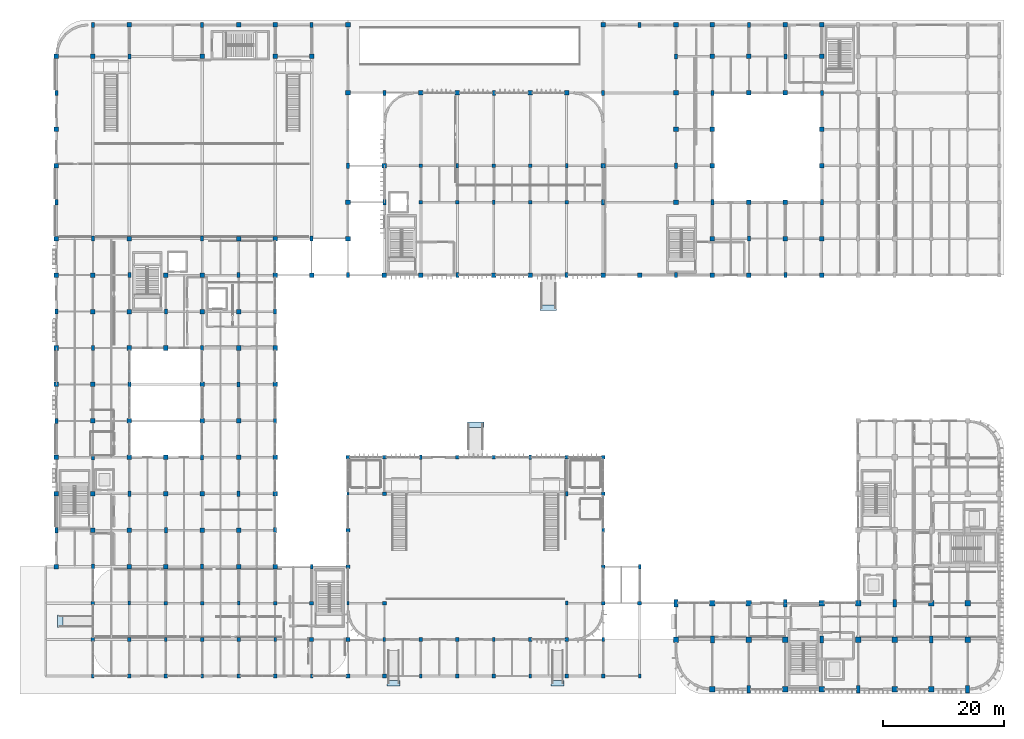
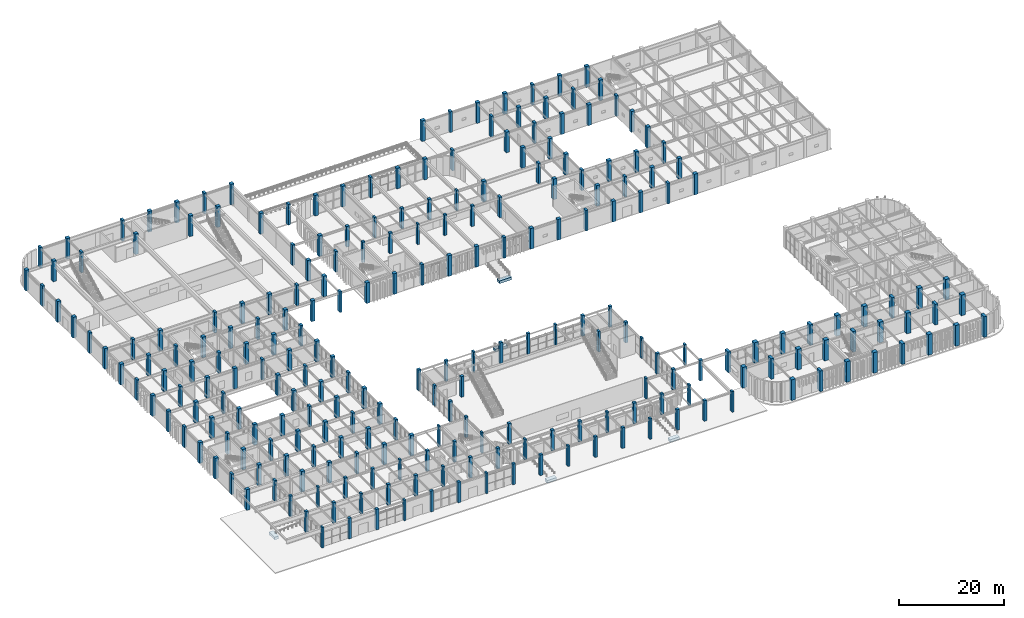
# One storey, part 1 of 76: 244 columns, 5 footings.
"""IFC4 building model written with IfcOpenShell, lengths in metres."""

from ifc_helpers import new_model, si_unit, direction, frame, origin, origin_2d, place, context, subcontext, project, spatial, rectangle, extrude, material, material_profile, profile_set, type_object, element, save


model = new_model("IFC4")

# Units and contexts
model_context = context("Model", 3, precision=1e-05, world=origin(), true_north=direction((0.0, 1.0)))
body_context = subcontext(model_context, "Body", "Model", "MODEL_VIEW")
ifc_project = project(units=[si_unit("LENGTHUNIT", "METRE"), si_unit("AREAUNIT", "SQUARE_METRE"), si_unit("VOLUMEUNIT", "CUBIC_METRE"), si_unit("PLANEANGLEUNIT", "RADIAN"), si_unit("MASSUNIT", "GRAM", prefix="KILO")], contexts=[model_context])

# Site, building, storey
site_placement = place(None, origin())
site = spatial("IfcSite", under=ifc_project, at=site_placement, CompositionType="ELEMENT")
building_placement = place(site_placement, origin())
building = spatial("IfcBuilding", under=site, at=building_placement, Name="Varnakota Square Police Headquarters", CompositionType="ELEMENT")
storey_placement = place(building_placement, origin())
storey = spatial("IfcBuildingStorey", under=building, at=storey_placement, Name="L00", CompositionType="ELEMENT", Elevation=0.0)

# Footings
ifc_material_1 = material(Name="Concrete M40", Category="concrete")
ifc_material_profile_1 = material_profile(ifc_material_1, rectangle(XDim=0.89990234375, YDim=0.60009765625, at=origin_2d()), Name="SF 900x600")
ifc_profile_set_1 = profile_set([ifc_material_profile_1], Name="Concrete M40")
footing_type = type_object("IfcFootingType", Name="FT-SF1", PredefinedType="STRIP_FOOTING", material=ifc_profile_set_1)
for number, where, z_axis, x_axis, name in (
    (1, (62.550048828125, 1.800048828125, -0.85009765625), (-1.0, 0.0, 0.0), (0.0, -1.0, 0.0), "Strip footing SF-12"),
    (2, (89.550048828125, 1.800048828125, -0.85009765625), (-1.0, 0.0, 0.0), (0.0, -1.0, 0.0), "Strip footing SF-13"),
    (3, (6.60009765625, 10.949951171875, -0.85009765625), (0.0, 1.0, 0.0), (-1.0, 0.0, 0.0), "Strip footing SF-14"),
):
    element("IfcFooting", number, at=place(storey_placement, frame(where, z_axis=z_axis, x_axis=x_axis)), inside=storey, type_object=footing_type, Name=name, PredefinedType="STRIP_FOOTING", context=body_context, shape_type="SweptSolid", body=[
        extrude(rectangle(XDim=0.89990234375, YDim=0.60009765625, at=origin_2d()), origin(), (0.0, 0.0, 1.0), 2.10009765625),
    ])
for number, where, z_axis, x_axis, name in (
    (4, (73.64990234375, 44.39990234375, -0.85009765625), (1.0, 0.0, 0.0), (0.0, 1.0, 0.0), "Strip footing SF-15"),
    (5, (88.35009765625, 63.60009765625, -0.85009765625), (-1.0, 0.0, 0.0), (0.0, -1.0, 0.0), "Strip footing SF-16"),
):
    element("IfcFooting", number, at=place(storey_placement, frame(where, z_axis=z_axis, x_axis=x_axis)), inside=storey, type_object=footing_type, Name=name, PredefinedType="STRIP_FOOTING", context=body_context, shape_type="SweptSolid", body=[
        extrude(rectangle(XDim=0.89990234375, YDim=0.60009765625, at=origin_2d()), origin(), (0.0, 0.0, 1.0), 2.7001953125),
    ])

# Columns
ifc_material_profile_2 = material_profile(ifc_material_1, rectangle(XDim=0.39990234375, YDim=0.699951171875, at=origin_2d()), Name="RC 400x700")
ifc_profile_set_2 = profile_set([ifc_material_profile_2], Name="Concrete M40")
column_type_1 = type_object("IfcColumnType", Name="COL-RC400x700", PredefinedType="COLUMN", material=ifc_profile_set_2)
for number, where, z_axis, x_axis, name in (
    (6, (12.0, 3.0, 0.0), (0.0, 0.0, 1.0), (1.0, 0.0, 0.0), "Column X0120-Y0030 L00"),
    (7, (18.0, 15.0, 0.0), (0.0, 0.0, 1.0), (1.0, 0.0, 0.0), "Column X0180-Y0150 L00"),
    (8, (24.0, 9.0, 0.0), (0.0, 0.0, 1.0), (1.0, 0.0, 0.0), "Column X0240-Y0090 L00"),
    (9, (30.0, 3.0, 0.0), (0.0, 0.0, 1.0), (1.0, 0.0, 0.0), "Column X0300-Y0030 L00"),
    (10, (36.0, 15.0, 0.0), (0.0, 0.0, 1.0), (1.0, 0.0, 0.0), "Column X0360-Y0150 L00"),
    (11, (42.0, 9.0, 0.0), (0.0, 0.0, 1.0), (1.0, 0.0, 0.0), "Column X0420-Y0090 L00"),
    (12, (48.0, 3.0, 0.0), (0.0, 0.0, 1.0), (1.0, 0.0, 0.0), "Column X0480-Y0030 L00"),
    (13, (48.0, 21.0, 0.0), (0.0, 0.0, 1.0), (1.0, 0.0, 0.0), "Column X0480-Y0210 L00"),
    (14, (54.0, 15.0, 0.0), (0.0, 0.0, 1.0), (1.0, 0.0, 0.0), "Column X0540-Y0150 L00"),
    (15, (54.0, 33.0, 0.0), (0.0, 0.0, 1.0), (1.0, 0.0, 0.0), "Column X0540-Y0330 L00"),
    (16, (60.0, 9.0, 0.0), (0.0, 0.0, 1.0), (1.0, 0.0, 0.0), "Column X0600-Y0090 L00"),
    (17, (66.0, 3.0, 0.0), (0.0, 0.0, 1.0), (1.0, 0.0, 0.0), "Column X0660-Y0030 L00"),
    (18, (66.0, 39.0, 0.0), (0.0, 0.0, 1.0), (1.0, 0.0, 0.0), "Column X0660-Y0390 L00"),
    (19, (72.0, 87.0, 0.0), (0.0, 0.0, 1.0), (1.0, 0.0, 0.0), "Column X0720-Y0870 L00"),
    (20, (78.0, 9.0, 0.0), (0.0, 0.0, 1.0), (1.0, 0.0, 0.0), "Column X0780-Y0090 L00"),
    (21, (78.0, 81.0, 0.0), (0.0, 0.0, 1.0), (1.0, 0.0, 0.0), "Column X0780-Y0810 L00"),
    (22, (84.0, 3.0, 0.0), (0.0, 0.0, 1.0), (1.0, 0.0, 0.0), "Column X0840-Y0030 L00"),
    (23, (84.0, 39.0, 0.0), (0.0, 0.0, 1.0), (1.0, 0.0, 0.0), "Column X0840-Y0390 L00"),
    (24, (90.0, 15.0, 0.0), (0.0, 0.0, 1.0), (1.0, 0.0, 0.0), "Column X0900-Y0150 L00"),
    (25, (90.0, 33.0, 0.0), (0.0, 0.0, 1.0), (1.0, 0.0, 0.0), "Column X0900-Y0330 L00"),
    (26, (90.0, 87.0, 0.0), (0.0, 0.0, 1.0), (1.0, 0.0, 0.0), "Column X0900-Y0870 L00"),
    (27, (96.0, 9.0, 0.0), (0.0, 0.0, 1.0), (1.0, 0.0, 0.0), "Column X0960-Y0090 L00"),
    (28, (96.0, 27.0, 0.0), (0.0, 0.0, 1.0), (1.0, 0.0, 0.0), "Column X0960-Y0270 L00"),
    (29, (102.0, 3.0, 0.0), (0.0, 0.0, 1.0), (1.0, 0.0, 0.0), "Column X1020-Y0030 L00"),
    (30, (102.0, 21.0, 0.0), (0.0, 0.0, 1.0), (1.0, 0.0, 0.0), "Column X1020-Y0210 L00"),
):
    element("IfcColumn", number, at=place(storey_placement, frame(where, z_axis=z_axis, x_axis=x_axis)), inside=storey, type_object=column_type_1, Name=name, PredefinedType="COLUMN", context=body_context, shape_type="SweptSolid", body=[
        extrude(rectangle(XDim=0.39990234375, YDim=0.699951171875, at=origin_2d()), origin(), (0.0, 0.0, 1.0), 4.800048828125),
    ])
ifc_material_2 = material(Name="Concrete M50", Category="concrete")
ifc_material_profile_3 = material_profile(ifc_material_2, rectangle(XDim=0.5, YDim=0.85009765625, at=origin_2d()), Name="RC 500x850")
ifc_profile_set_3 = profile_set([ifc_material_profile_3], Name="Concrete M50")
column_type_2 = type_object("IfcColumnType", Name="COL-RC500x850", PredefinedType="COLUMN", material=ifc_profile_set_3)
for number, where, z_axis, x_axis, name in (
    (31, (6.0, 27.0, 0.0), (0.0, 0.0, 1.0), (1.0, 0.0, 0.0), "Column X0060-Y0270 L00"),
    (32, (6.0, 45.0, 0.0), (0.0, 0.0, 1.0), (1.0, 0.0, 0.0), "Column X0060-Y0450 L00"),
    (33, (6.0, 63.0, 0.0), (0.0, 0.0, 1.0), (1.0, 0.0, 0.0), "Column X0060-Y0630 L00"),
    (34, (6.0, 81.0, 0.0), (0.0, 0.0, 1.0), (1.0, 0.0, 0.0), "Column X0060-Y0810 L00"),
    (35, (6.0, 99.0, 0.0), (0.0, 0.0, 1.0), (1.0, 0.0, 0.0), "Column X0060-Y0990 L00"),
    (36, (12.0, 21.0, 0.0), (0.0, 0.0, 1.0), (1.0, 0.0, 0.0), "Column X0120-Y0210 L00"),
    (37, (12.0, 39.0, 0.0), (0.0, 0.0, 1.0), (1.0, 0.0, 0.0), "Column X0120-Y0390 L00"),
    (38, (12.0, 57.0, 0.0), (0.0, 0.0, 1.0), (1.0, 0.0, 0.0), "Column X0120-Y0570 L00"),
    (39, (12.0, 75.0, 0.0), (0.0, 0.0, 1.0), (1.0, 0.0, 0.0), "Column X0120-Y0750 L00"),
    (40, (12.0, 110.199951171875, 0.0), (0.0, 0.0, 1.0), (1.0, 0.0, 0.0), "Column X0120-Y1102 L00"),
    (41, (18.0, 33.0, 0.0), (0.0, 0.0, 1.0), (1.0, 0.0, 0.0), "Column X0180-Y0330 L00"),
    (42, (18.0, 51.0, 0.0), (0.0, 0.0, 1.0), (1.0, 0.0, 0.0), "Column X0180-Y0510 L00"),
    (43, (18.0, 69.0, 0.0), (0.0, 0.0, 1.0), (1.0, 0.0, 0.0), "Column X0180-Y0690 L00"),
    (44, (18.0, 105.0, 0.0), (0.0, 0.0, 1.0), (1.0, 0.0, 0.0), "Column X0180-Y1050 L00"),
    (45, (24.0, 27.0, 0.0), (0.0, 0.0, 1.0), (1.0, 0.0, 0.0), "Column X0240-Y0270 L00"),
    (46, (24.0, 63.0, 0.0), (0.0, 0.0, 1.0), (1.0, 0.0, 0.0), "Column X0240-Y0630 L00"),
    (47, (30.0, 21.0, 0.0), (0.0, 0.0, 1.0), (1.0, 0.0, 0.0), "Column X0300-Y0210 L00"),
    (48, (30.0, 39.0, 0.0), (0.0, 0.0, 1.0), (1.0, 0.0, 0.0), "Column X0300-Y0390 L00"),
    (49, (30.0, 57.0, 0.0), (0.0, 0.0, 1.0), (1.0, 0.0, 0.0), "Column X0300-Y0570 L00"),
    (50, (30.0, 75.0, 0.0), (0.0, 0.0, 1.0), (1.0, 0.0, 0.0), "Column X0300-Y0750 L00"),
    (51, (30.0, 110.199951171875, 0.0), (0.0, 0.0, 1.0), (1.0, 0.0, 0.0), "Column X0300-Y1102 L00"),
    (52, (36.0, 33.0, 0.0), (0.0, 0.0, 1.0), (1.0, 0.0, 0.0), "Column X0360-Y0330 L00"),
    (53, (36.0, 51.0, 0.0), (0.0, 0.0, 1.0), (1.0, 0.0, 0.0), "Column X0360-Y0510 L00"),
    (54, (36.0, 69.0, 0.0), (0.0, 0.0, 1.0), (1.0, 0.0, 0.0), "Column X0360-Y0690 L00"),
    (55, (42.0, 27.0, 0.0), (0.0, 0.0, 1.0), (1.0, 0.0, 0.0), "Column X0420-Y0270 L00"),
    (56, (42.0, 45.0, 0.0), (0.0, 0.0, 1.0), (1.0, 0.0, 0.0), "Column X0420-Y0450 L00"),
    (57, (42.0, 63.0, 0.0), (0.0, 0.0, 1.0), (1.0, 0.0, 0.0), "Column X0420-Y0630 L00"),
    (58, (48.0, 75.0, 0.0), (0.0, 0.0, 1.0), (1.0, 0.0, 0.0), "Column X0480-Y0750 L00"),
    (59, (48.0, 110.199951171875, 0.0), (0.0, 0.0, 1.0), (1.0, 0.0, 0.0), "Column X0480-Y1102 L00"),
    (60, (54.0, 69.0, 0.0), (0.0, 0.0, 1.0), (1.0, 0.0, 0.0), "Column X0540-Y0690 L00"),
    (61, (54.0, 87.0, 0.0), (0.0, 0.0, 1.0), (1.0, 0.0, 0.0), "Column X0540-Y0870 L00"),
    (62, (60.0, 81.0, 0.0), (0.0, 0.0, 1.0), (1.0, 0.0, 0.0), "Column X0600-Y0810 L00"),
    (63, (60.0, 99.0, 0.0), (0.0, 0.0, 1.0), (1.0, 0.0, 0.0), "Column X0600-Y0990 L00"),
    (64, (72.0, 69.0, 0.0), (0.0, 0.0, 1.0), (1.0, 0.0, 0.0), "Column X0720-Y0690 L00"),
    (65, (78.0, 99.0, 0.0), (0.0, 0.0, 1.0), (1.0, 0.0, 0.0), "Column X0780-Y0990 L00"),
    (66, (90.0, 69.0, 0.0), (0.0, 0.0, 1.0), (1.0, 0.0, 0.0), "Column X0900-Y0690 L00"),
    (67, (96.0, 81.0, 0.0), (0.0, 0.0, 1.0), (1.0, 0.0, 0.0), "Column X0960-Y0810 L00"),
    (68, (96.0, 99.0, 0.0), (0.0, 0.0, 1.0), (1.0, 0.0, 0.0), "Column X0960-Y0990 L00"),
    (69, (102.0, 110.199951171875, 0.0), (0.0, 0.0, 1.0), (1.0, 0.0, 0.0), "Column X1020-Y1102 L00"),
    (70, (108.0, 69.0, 0.0), (0.0, 0.0, 1.0), (1.0, 0.0, 0.0), "Column X1080-Y0690 L00"),
    (71, (108.0, 87.0, 0.0), (0.0, 0.0, 1.0), (1.0, 0.0, 0.0), "Column X1080-Y0870 L00"),
    (72, (108.0, 105.0, 0.0), (0.0, 0.0, 1.0), (1.0, 0.0, 0.0), "Column X1080-Y1050 L00"),
    (73, (114.0, 81.0, 0.0), (0.0, 0.0, 1.0), (1.0, 0.0, 0.0), "Column X1140-Y0810 L00"),
    (74, (114.0, 99.0, 0.0), (0.0, 0.0, 1.0), (1.0, 0.0, 0.0), "Column X1140-Y0990 L00"),
    (75, (120.0, 75.0, 0.0), (0.0, 0.0, 1.0), (1.0, 0.0, 0.0), "Column X1200-Y0750 L00"),
    (76, (120.0, 110.199951171875, 0.0), (0.0, 0.0, 1.0), (1.0, 0.0, 0.0), "Column X1200-Y1102 L00"),
    (77, (126.0, 69.0, 0.0), (0.0, 0.0, 1.0), (1.0, 0.0, 0.0), "Column X1260-Y0690 L00"),
    (78, (126.0, 105.0, 0.0), (0.0, 0.0, 1.0), (1.0, 0.0, 0.0), "Column X1260-Y1050 L00"),
    (79, (132.0, 81.0, 0.0), (0.0, 0.0, 1.0), (1.0, 0.0, 0.0), "Column X1320-Y0810 L00"),
    (80, (132.0, 99.0, 0.0), (0.0, 0.0, 1.0), (1.0, 0.0, 0.0), "Column X1320-Y0990 L00"),
):
    element("IfcColumn", number, at=place(storey_placement, frame(where, z_axis=z_axis, x_axis=x_axis)), inside=storey, type_object=column_type_2, Name=name, PredefinedType="COLUMN", context=body_context, shape_type="SweptSolid", body=[
        extrude(rectangle(XDim=0.5, YDim=0.85009765625, at=origin_2d()), origin(), (0.0, 0.0, 1.0), 4.800048828125),
    ])
ifc_material_profile_4 = material_profile(ifc_material_1, rectangle(XDim=0.60009765625, YDim=0.60009765625, at=origin_2d()), Name="RC 600x600")
ifc_profile_set_4 = profile_set([ifc_material_profile_4], Name="Concrete M40")
column_type_3 = type_object("IfcColumnType", Name="COL-RC600", PredefinedType="COLUMN", material=ifc_profile_set_4)
for number, where, z_axis, x_axis, name in (
    (81, (12.0, 9.0, 0.0), (0.0, 0.0, 1.0), (1.0, 0.0, 0.0), "Column X0120-Y0090 L00"),
    (82, (12.0, 15.0, 0.0), (0.0, 0.0, 1.0), (1.0, 0.0, 0.0), "Column X0120-Y0150 L00"),
    (83, (18.0, 3.0, 0.0), (0.0, 0.0, 1.0), (1.0, 0.0, 0.0), "Column X0180-Y0030 L00"),
    (84, (18.0, 9.0, 0.0), (0.0, 0.0, 1.0), (1.0, 0.0, 0.0), "Column X0180-Y0090 L00"),
    (85, (24.0, 3.0, 0.0), (0.0, 0.0, 1.0), (1.0, 0.0, 0.0), "Column X0240-Y0030 L00"),
    (86, (24.0, 15.0, 0.0), (0.0, 0.0, 1.0), (1.0, 0.0, 0.0), "Column X0240-Y0150 L00"),
    (87, (30.0, 9.0, 0.0), (0.0, 0.0, 1.0), (1.0, 0.0, 0.0), "Column X0300-Y0090 L00"),
    (88, (30.0, 15.0, 0.0), (0.0, 0.0, 1.0), (1.0, 0.0, 0.0), "Column X0300-Y0150 L00"),
    (89, (36.0, 3.0, 0.0), (0.0, 0.0, 1.0), (1.0, 0.0, 0.0), "Column X0360-Y0030 L00"),
    (90, (36.0, 9.0, 0.0), (0.0, 0.0, 1.0), (1.0, 0.0, 0.0), "Column X0360-Y0090 L00"),
    (91, (42.0, 3.0, 0.0), (0.0, 0.0, 1.0), (1.0, 0.0, 0.0), "Column X0420-Y0030 L00"),
    (92, (42.0, 15.0, 0.0), (0.0, 0.0, 1.0), (1.0, 0.0, 0.0), "Column X0420-Y0150 L00"),
    (93, (48.0, 9.0, 0.0), (0.0, 0.0, 1.0), (1.0, 0.0, 0.0), "Column X0480-Y0090 L00"),
    (94, (48.0, 15.0, 0.0), (0.0, 0.0, 1.0), (1.0, 0.0, 0.0), "Column X0480-Y0150 L00"),
    (95, (54.0, 3.0, 0.0), (0.0, 0.0, 1.0), (1.0, 0.0, 0.0), "Column X0540-Y0030 L00"),
    (96, (54.0, 9.0, 0.0), (0.0, 0.0, 1.0), (1.0, 0.0, 0.0), "Column X0540-Y0090 L00"),
    (97, (54.0, 21.0, 0.0), (0.0, 0.0, 1.0), (1.0, 0.0, 0.0), "Column X0540-Y0210 L00"),
    (98, (54.0, 27.0, 0.0), (0.0, 0.0, 1.0), (1.0, 0.0, 0.0), "Column X0540-Y0270 L00"),
    (99, (54.0, 39.0, 0.0), (0.0, 0.0, 1.0), (1.0, 0.0, 0.0), "Column X0540-Y0390 L00"),
    (100, (60.0, 3.0, 0.0), (0.0, 0.0, 1.0), (1.0, 0.0, 0.0), "Column X0600-Y0030 L00"),
    (101, (60.0, 15.0, 0.0), (0.0, 0.0, 1.0), (1.0, 0.0, 0.0), "Column X0600-Y0150 L00"),
    (102, (60.0, 33.0, 0.0), (0.0, 0.0, 1.0), (1.0, 0.0, 0.0), "Column X0600-Y0330 L00"),
    (103, (60.0, 39.0, 0.0), (0.0, 0.0, 1.0), (1.0, 0.0, 0.0), "Column X0600-Y0390 L00"),
    (104, (66.0, 9.0, 0.0), (0.0, 0.0, 1.0), (1.0, 0.0, 0.0), "Column X0660-Y0090 L00"),
    (105, (66.0, 81.0, 0.0), (0.0, 0.0, 1.0), (1.0, 0.0, 0.0), "Column X0660-Y0810 L00"),
    (106, (66.0, 87.0, 0.0), (0.0, 0.0, 1.0), (1.0, 0.0, 0.0), "Column X0660-Y0870 L00"),
    (107, (72.0, 3.0, 0.0), (0.0, 0.0, 1.0), (1.0, 0.0, 0.0), "Column X0720-Y0030 L00"),
    (108, (72.0, 9.0, 0.0), (0.0, 0.0, 1.0), (1.0, 0.0, 0.0), "Column X0720-Y0090 L00"),
    (109, (72.0, 39.0, 0.0), (0.0, 0.0, 1.0), (1.0, 0.0, 0.0), "Column X0720-Y0390 L00"),
    (110, (72.0, 81.0, 0.0), (0.0, 0.0, 1.0), (1.0, 0.0, 0.0), "Column X0720-Y0810 L00"),
    (111, (78.0, 3.0, 0.0), (0.0, 0.0, 1.0), (1.0, 0.0, 0.0), "Column X0780-Y0030 L00"),
    (112, (78.0, 39.0, 0.0), (0.0, 0.0, 1.0), (1.0, 0.0, 0.0), "Column X0780-Y0390 L00"),
    (113, (78.0, 87.0, 0.0), (0.0, 0.0, 1.0), (1.0, 0.0, 0.0), "Column X0780-Y0870 L00"),
    (114, (84.0, 9.0, 0.0), (0.0, 0.0, 1.0), (1.0, 0.0, 0.0), "Column X0840-Y0090 L00"),
    (115, (84.0, 81.0, 0.0), (0.0, 0.0, 1.0), (1.0, 0.0, 0.0), "Column X0840-Y0810 L00"),
    (116, (84.0, 87.0, 0.0), (0.0, 0.0, 1.0), (1.0, 0.0, 0.0), "Column X0840-Y0870 L00"),
    (117, (90.0, 3.0, 0.0), (0.0, 0.0, 1.0), (1.0, 0.0, 0.0), "Column X0900-Y0030 L00"),
    (118, (90.0, 9.0, 0.0), (0.0, 0.0, 1.0), (1.0, 0.0, 0.0), "Column X0900-Y0090 L00"),
    (119, (90.0, 39.0, 0.0), (0.0, 0.0, 1.0), (1.0, 0.0, 0.0), "Column X0900-Y0390 L00"),
    (120, (90.0, 81.0, 0.0), (0.0, 0.0, 1.0), (1.0, 0.0, 0.0), "Column X0900-Y0810 L00"),
    (121, (96.0, 3.0, 0.0), (0.0, 0.0, 1.0), (1.0, 0.0, 0.0), "Column X0960-Y0030 L00"),
    (122, (96.0, 15.0, 0.0), (0.0, 0.0, 1.0), (1.0, 0.0, 0.0), "Column X0960-Y0150 L00"),
    (123, (96.0, 21.0, 0.0), (0.0, 0.0, 1.0), (1.0, 0.0, 0.0), "Column X0960-Y0210 L00"),
    (124, (96.0, 33.0, 0.0), (0.0, 0.0, 1.0), (1.0, 0.0, 0.0), "Column X0960-Y0330 L00"),
    (125, (96.0, 39.0, 0.0), (0.0, 0.0, 1.0), (1.0, 0.0, 0.0), "Column X0960-Y0390 L00"),
    (126, (102.0, 15.0, 0.0), (0.0, 0.0, 1.0), (1.0, 0.0, 0.0), "Column X1020-Y0150 L00"),
):
    element("IfcColumn", number, at=place(storey_placement, frame(where, z_axis=z_axis, x_axis=x_axis)), inside=storey, type_object=column_type_3, Name=name, PredefinedType="COLUMN", context=body_context, shape_type="SweptSolid", body=[
        extrude(rectangle(XDim=0.60009765625, YDim=0.60009765625, at=origin_2d()), origin(), (0.0, 0.0, 1.0), 4.800048828125),
    ])
ifc_material_profile_5 = material_profile(ifc_material_2, rectangle(XDim=0.60009765625, YDim=1.199951171875, at=origin_2d()), Name="RC 600x1200")
ifc_profile_set_5 = profile_set([ifc_material_profile_5], Name="Concrete M50")
column_type_4 = type_object("IfcColumnType", Name="COL-RC600x1200", PredefinedType="COLUMN", material=ifc_profile_set_5)
for number, where, z_axis, x_axis, name in (
    (127, (108.0, 15.0, 0.0), (0.0, 0.0, 1.0), (1.0, 0.0, 0.0), "Column X1080-Y0150 L00"),
    (128, (114.0, 9.0, 0.0), (0.0, 0.0, 1.0), (1.0, 0.0, 0.0), "Column X1140-Y0090 L00"),
    (129, (120.0, 0.800048828125, 0.0), (0.0, 0.0, 1.0), (1.0, 0.0, 0.0), "Column X1200-Y0008 L00"),
    (130, (126.0, 15.0, 0.0), (0.0, 0.0, 1.0), (1.0, 0.0, 0.0), "Column X1260-Y0150 L00"),
    (131, (132.0, 9.0, 0.0), (0.0, 0.0, 1.0), (1.0, 0.0, 0.0), "Column X1320-Y0090 L00"),
    (132, (138.0, 0.800048828125, 0.0), (0.0, 0.0, 1.0), (1.0, 0.0, 0.0), "Column X1380-Y0008 L00"),
    (133, (144.0, 15.0, 0.0), (0.0, 0.0, 1.0), (1.0, 0.0, 0.0), "Column X1440-Y0150 L00"),
    (134, (150.0, 9.0, 0.0), (0.0, 0.0, 1.0), (1.0, 0.0, 0.0), "Column X1500-Y0090 L00"),
    (135, (156.0, 0.800048828125, 0.0), (0.0, 0.0, 1.0), (1.0, 0.0, 0.0), "Column X1560-Y0008 L00"),
):
    element("IfcColumn", number, at=place(storey_placement, frame(where, z_axis=z_axis, x_axis=x_axis)), inside=storey, type_object=column_type_4, Name=name, PredefinedType="COLUMN", context=body_context, shape_type="SweptSolid", body=[
        extrude(rectangle(XDim=0.60009765625, YDim=1.199951171875, at=origin_2d()), origin(), (0.0, 0.0, 1.0), 4.800048828125),
    ])
ifc_material_profile_6 = material_profile(ifc_material_2, rectangle(XDim=0.75, YDim=0.75, at=origin_2d()), Name="RC 750x750")
ifc_profile_set_6 = profile_set([ifc_material_profile_6], Name="Concrete M50")
column_type_5 = type_object("IfcColumnType", Name="COL-RC750", PredefinedType="COLUMN", material=ifc_profile_set_6)
for number, where, z_axis, x_axis, name in (
    (136, (6.0, 21.0, 0.0), (0.0, 0.0, 1.0), (1.0, 0.0, 0.0), "Column X0060-Y0210 L00"),
    (137, (6.0, 33.0, 0.0), (0.0, 0.0, 1.0), (1.0, 0.0, 0.0), "Column X0060-Y0330 L00"),
    (138, (6.0, 39.0, 0.0), (0.0, 0.0, 1.0), (1.0, 0.0, 0.0), "Column X0060-Y0390 L00"),
    (139, (6.0, 51.0, 0.0), (0.0, 0.0, 1.0), (1.0, 0.0, 0.0), "Column X0060-Y0510 L00"),
    (140, (6.0, 57.0, 0.0), (0.0, 0.0, 1.0), (1.0, 0.0, 0.0), "Column X0060-Y0570 L00"),
    (141, (6.0, 69.0, 0.0), (0.0, 0.0, 1.0), (1.0, 0.0, 0.0), "Column X0060-Y0690 L00"),
    (142, (6.0, 75.0, 0.0), (0.0, 0.0, 1.0), (1.0, 0.0, 0.0), "Column X0060-Y0750 L00"),
    (143, (6.0, 87.0, 0.0), (0.0, 0.0, 1.0), (1.0, 0.0, 0.0), "Column X0060-Y0870 L00"),
    (144, (6.0, 93.0, 0.0), (0.0, 0.0, 1.0), (1.0, 0.0, 0.0), "Column X0060-Y0930 L00"),
    (145, (6.0, 105.0, 0.0), (0.0, 0.0, 1.0), (1.0, 0.0, 0.0), "Column X0060-Y1050 L00"),
    (146, (12.0, 27.0, 0.0), (0.0, 0.0, 1.0), (1.0, 0.0, 0.0), "Column X0120-Y0270 L00"),
    (147, (12.0, 33.0, 0.0), (0.0, 0.0, 1.0), (1.0, 0.0, 0.0), "Column X0120-Y0330 L00"),
    (148, (12.0, 45.0, 0.0), (0.0, 0.0, 1.0), (1.0, 0.0, 0.0), "Column X0120-Y0450 L00"),
    (149, (12.0, 51.0, 0.0), (0.0, 0.0, 1.0), (1.0, 0.0, 0.0), "Column X0120-Y0510 L00"),
    (150, (12.0, 63.0, 0.0), (0.0, 0.0, 1.0), (1.0, 0.0, 0.0), "Column X0120-Y0630 L00"),
    (151, (12.0, 69.0, 0.0), (0.0, 0.0, 1.0), (1.0, 0.0, 0.0), "Column X0120-Y0690 L00"),
    (152, (12.0, 105.0, 0.0), (0.0, 0.0, 1.0), (1.0, 0.0, 0.0), "Column X0120-Y1050 L00"),
    (153, (18.0, 21.0, 0.0), (0.0, 0.0, 1.0), (1.0, 0.0, 0.0), "Column X0180-Y0210 L00"),
    (154, (18.0, 27.0, 0.0), (0.0, 0.0, 1.0), (1.0, 0.0, 0.0), "Column X0180-Y0270 L00"),
    (155, (18.0, 39.0, 0.0), (0.0, 0.0, 1.0), (1.0, 0.0, 0.0), "Column X0180-Y0390 L00"),
    (156, (18.0, 45.0, 0.0), (0.0, 0.0, 1.0), (1.0, 0.0, 0.0), "Column X0180-Y0450 L00"),
    (157, (18.0, 57.0, 0.0), (0.0, 0.0, 1.0), (1.0, 0.0, 0.0), "Column X0180-Y0570 L00"),
    (158, (18.0, 63.0, 0.0), (0.0, 0.0, 1.0), (1.0, 0.0, 0.0), "Column X0180-Y0630 L00"),
    (159, (18.0, 75.0, 0.0), (0.0, 0.0, 1.0), (1.0, 0.0, 0.0), "Column X0180-Y0750 L00"),
    (160, (18.0, 110.199951171875, 0.0), (0.0, 0.0, 1.0), (1.0, 0.0, 0.0), "Column X0180-Y1102 L00"),
    (161, (24.0, 21.0, 0.0), (0.0, 0.0, 1.0), (1.0, 0.0, 0.0), "Column X0240-Y0210 L00"),
    (162, (24.0, 33.0, 0.0), (0.0, 0.0, 1.0), (1.0, 0.0, 0.0), "Column X0240-Y0330 L00"),
    (163, (24.0, 39.0, 0.0), (0.0, 0.0, 1.0), (1.0, 0.0, 0.0), "Column X0240-Y0390 L00"),
    (164, (24.0, 57.0, 0.0), (0.0, 0.0, 1.0), (1.0, 0.0, 0.0), "Column X0240-Y0570 L00"),
    (165, (24.0, 69.0, 0.0), (0.0, 0.0, 1.0), (1.0, 0.0, 0.0), "Column X0240-Y0690 L00"),
    (166, (30.0, 27.0, 0.0), (0.0, 0.0, 1.0), (1.0, 0.0, 0.0), "Column X0300-Y0270 L00"),
    (167, (30.0, 33.0, 0.0), (0.0, 0.0, 1.0), (1.0, 0.0, 0.0), "Column X0300-Y0330 L00"),
    (168, (30.0, 45.0, 0.0), (0.0, 0.0, 1.0), (1.0, 0.0, 0.0), "Column X0300-Y0450 L00"),
    (169, (30.0, 51.0, 0.0), (0.0, 0.0, 1.0), (1.0, 0.0, 0.0), "Column X0300-Y0510 L00"),
    (170, (30.0, 63.0, 0.0), (0.0, 0.0, 1.0), (1.0, 0.0, 0.0), "Column X0300-Y0630 L00"),
    (171, (30.0, 69.0, 0.0), (0.0, 0.0, 1.0), (1.0, 0.0, 0.0), "Column X0300-Y0690 L00"),
    (172, (30.0, 105.0, 0.0), (0.0, 0.0, 1.0), (1.0, 0.0, 0.0), "Column X0300-Y1050 L00"),
    (173, (36.0, 21.0, 0.0), (0.0, 0.0, 1.0), (1.0, 0.0, 0.0), "Column X0360-Y0210 L00"),
    (174, (36.0, 27.0, 0.0), (0.0, 0.0, 1.0), (1.0, 0.0, 0.0), "Column X0360-Y0270 L00"),
    (175, (36.0, 39.0, 0.0), (0.0, 0.0, 1.0), (1.0, 0.0, 0.0), "Column X0360-Y0390 L00"),
    (176, (36.0, 45.0, 0.0), (0.0, 0.0, 1.0), (1.0, 0.0, 0.0), "Column X0360-Y0450 L00"),
    (177, (36.0, 57.0, 0.0), (0.0, 0.0, 1.0), (1.0, 0.0, 0.0), "Column X0360-Y0570 L00"),
    (178, (36.0, 63.0, 0.0), (0.0, 0.0, 1.0), (1.0, 0.0, 0.0), "Column X0360-Y0630 L00"),
    (179, (36.0, 75.0, 0.0), (0.0, 0.0, 1.0), (1.0, 0.0, 0.0), "Column X0360-Y0750 L00"),
    (180, (36.0, 110.199951171875, 0.0), (0.0, 0.0, 1.0), (1.0, 0.0, 0.0), "Column X0360-Y1102 L00"),
    (181, (42.0, 21.0, 0.0), (0.0, 0.0, 1.0), (1.0, 0.0, 0.0), "Column X0420-Y0210 L00"),
    (182, (42.0, 33.0, 0.0), (0.0, 0.0, 1.0), (1.0, 0.0, 0.0), "Column X0420-Y0330 L00"),
    (183, (42.0, 39.0, 0.0), (0.0, 0.0, 1.0), (1.0, 0.0, 0.0), "Column X0420-Y0390 L00"),
    (184, (42.0, 51.0, 0.0), (0.0, 0.0, 1.0), (1.0, 0.0, 0.0), "Column X0420-Y0510 L00"),
    (185, (42.0, 57.0, 0.0), (0.0, 0.0, 1.0), (1.0, 0.0, 0.0), "Column X0420-Y0570 L00"),
    (186, (42.0, 69.0, 0.0), (0.0, 0.0, 1.0), (1.0, 0.0, 0.0), "Column X0420-Y0690 L00"),
    (187, (42.0, 75.0, 0.0), (0.0, 0.0, 1.0), (1.0, 0.0, 0.0), "Column X0420-Y0750 L00"),
    (188, (42.0, 105.0, 0.0), (0.0, 0.0, 1.0), (1.0, 0.0, 0.0), "Column X0420-Y1050 L00"),
    (189, (42.0, 110.199951171875, 0.0), (0.0, 0.0, 1.0), (1.0, 0.0, 0.0), "Column X0420-Y1102 L00"),
    (190, (48.0, 69.0, 0.0), (0.0, 0.0, 1.0), (1.0, 0.0, 0.0), "Column X0480-Y0690 L00"),
    (191, (48.0, 105.0, 0.0), (0.0, 0.0, 1.0), (1.0, 0.0, 0.0), "Column X0480-Y1050 L00"),
    (192, (54.0, 75.0, 0.0), (0.0, 0.0, 1.0), (1.0, 0.0, 0.0), "Column X0540-Y0750 L00"),
    (193, (54.0, 81.0, 0.0), (0.0, 0.0, 1.0), (1.0, 0.0, 0.0), "Column X0540-Y0810 L00"),
    (194, (54.0, 99.0, 0.0), (0.0, 0.0, 1.0), (1.0, 0.0, 0.0), "Column X0540-Y0990 L00"),
    (195, (54.0, 110.199951171875, 0.0), (0.0, 0.0, 1.0), (1.0, 0.0, 0.0), "Column X0540-Y1102 L00"),
    (196, (60.0, 69.0, 0.0), (0.0, 0.0, 1.0), (1.0, 0.0, 0.0), "Column X0600-Y0690 L00"),
    (197, (60.0, 87.0, 0.0), (0.0, 0.0, 1.0), (1.0, 0.0, 0.0), "Column X0600-Y0870 L00"),
    (198, (66.0, 69.0, 0.0), (0.0, 0.0, 1.0), (1.0, 0.0, 0.0), "Column X0660-Y0690 L00"),
    (199, (66.0, 99.0, 0.0), (0.0, 0.0, 1.0), (1.0, 0.0, 0.0), "Column X0660-Y0990 L00"),
    (200, (72.0, 99.0, 0.0), (0.0, 0.0, 1.0), (1.0, 0.0, 0.0), "Column X0720-Y0990 L00"),
    (201, (78.0, 69.0, 0.0), (0.0, 0.0, 1.0), (1.0, 0.0, 0.0), "Column X0780-Y0690 L00"),
    (202, (84.0, 69.0, 0.0), (0.0, 0.0, 1.0), (1.0, 0.0, 0.0), "Column X0840-Y0690 L00"),
    (203, (84.0, 99.0, 0.0), (0.0, 0.0, 1.0), (1.0, 0.0, 0.0), "Column X0840-Y0990 L00"),
    (204, (90.0, 99.0, 0.0), (0.0, 0.0, 1.0), (1.0, 0.0, 0.0), "Column X0900-Y0990 L00"),
    (205, (96.0, 69.0, 0.0), (0.0, 0.0, 1.0), (1.0, 0.0, 0.0), "Column X0960-Y0690 L00"),
    (206, (96.0, 87.0, 0.0), (0.0, 0.0, 1.0), (1.0, 0.0, 0.0), "Column X0960-Y0870 L00"),
    (207, (96.0, 110.199951171875, 0.0), (0.0, 0.0, 1.0), (1.0, 0.0, 0.0), "Column X0960-Y1102 L00"),
    (208, (102.0, 69.0, 0.0), (0.0, 0.0, 1.0), (1.0, 0.0, 0.0), "Column X1020-Y0690 L00"),
    (209, (108.0, 81.0, 0.0), (0.0, 0.0, 1.0), (1.0, 0.0, 0.0), "Column X1080-Y0810 L00"),
    (210, (108.0, 93.0, 0.0), (0.0, 0.0, 1.0), (1.0, 0.0, 0.0), "Column X1080-Y0930 L00"),
    (211, (108.0, 99.0, 0.0), (0.0, 0.0, 1.0), (1.0, 0.0, 0.0), "Column X1080-Y0990 L00"),
    (212, (108.0, 110.199951171875, 0.0), (0.0, 0.0, 1.0), (1.0, 0.0, 0.0), "Column X1080-Y1102 L00"),
    (213, (114.0, 69.0, 0.0), (0.0, 0.0, 1.0), (1.0, 0.0, 0.0), "Column X1140-Y0690 L00"),
    (214, (114.0, 75.0, 0.0), (0.0, 0.0, 1.0), (1.0, 0.0, 0.0), "Column X1140-Y0750 L00"),
    (215, (114.0, 87.0, 0.0), (0.0, 0.0, 1.0), (1.0, 0.0, 0.0), "Column X1140-Y0870 L00"),
    (216, (114.0, 93.0, 0.0), (0.0, 0.0, 1.0), (1.0, 0.0, 0.0), "Column X1140-Y0930 L00"),
    (217, (114.0, 105.0, 0.0), (0.0, 0.0, 1.0), (1.0, 0.0, 0.0), "Column X1140-Y1050 L00"),
    (218, (114.0, 110.199951171875, 0.0), (0.0, 0.0, 1.0), (1.0, 0.0, 0.0), "Column X1140-Y1102 L00"),
    (219, (120.0, 69.0, 0.0), (0.0, 0.0, 1.0), (1.0, 0.0, 0.0), "Column X1200-Y0690 L00"),
    (220, (120.0, 81.0, 0.0), (0.0, 0.0, 1.0), (1.0, 0.0, 0.0), "Column X1200-Y0810 L00"),
    (221, (120.0, 99.0, 0.0), (0.0, 0.0, 1.0), (1.0, 0.0, 0.0), "Column X1200-Y0990 L00"),
    (222, (120.0, 105.0, 0.0), (0.0, 0.0, 1.0), (1.0, 0.0, 0.0), "Column X1200-Y1050 L00"),
    (223, (126.0, 75.0, 0.0), (0.0, 0.0, 1.0), (1.0, 0.0, 0.0), "Column X1260-Y0750 L00"),
    (224, (126.0, 81.0, 0.0), (0.0, 0.0, 1.0), (1.0, 0.0, 0.0), "Column X1260-Y0810 L00"),
    (225, (126.0, 99.0, 0.0), (0.0, 0.0, 1.0), (1.0, 0.0, 0.0), "Column X1260-Y0990 L00"),
    (226, (126.0, 110.199951171875, 0.0), (0.0, 0.0, 1.0), (1.0, 0.0, 0.0), "Column X1260-Y1102 L00"),
    (227, (132.0, 69.0, 0.0), (0.0, 0.0, 1.0), (1.0, 0.0, 0.0), "Column X1320-Y0690 L00"),
    (228, (132.0, 75.0, 0.0), (0.0, 0.0, 1.0), (1.0, 0.0, 0.0), "Column X1320-Y0750 L00"),
    (229, (132.0, 87.0, 0.0), (0.0, 0.0, 1.0), (1.0, 0.0, 0.0), "Column X1320-Y0870 L00"),
    (230, (132.0, 93.0, 0.0), (0.0, 0.0, 1.0), (1.0, 0.0, 0.0), "Column X1320-Y0930 L00"),
    (231, (132.0, 105.0, 0.0), (0.0, 0.0, 1.0), (1.0, 0.0, 0.0), "Column X1320-Y1050 L00"),
    (232, (132.0, 110.199951171875, 0.0), (0.0, 0.0, 1.0), (1.0, 0.0, 0.0), "Column X1320-Y1102 L00"),
):
    element("IfcColumn", number, at=place(storey_placement, frame(where, z_axis=z_axis, x_axis=x_axis)), inside=storey, type_object=column_type_5, Name=name, PredefinedType="COLUMN", context=body_context, shape_type="SweptSolid", body=[
        extrude(rectangle(XDim=0.75, YDim=0.75, at=origin_2d()), origin(), (0.0, 0.0, 1.0), 4.800048828125),
    ])
ifc_material_profile_7 = material_profile(ifc_material_2, rectangle(XDim=0.89990234375, YDim=0.89990234375, at=origin_2d()), Name="RC 900x900")
ifc_profile_set_7 = profile_set([ifc_material_profile_7], Name="Concrete M50")
column_type_6 = type_object("IfcColumnType", Name="COL-RC900", PredefinedType="COLUMN", material=ifc_profile_set_7)
for number, where, z_axis, x_axis, name in (
    (233, (108.0, 9.0, 0.0), (0.0, 0.0, 1.0), (1.0, 0.0, 0.0), "Column X1080-Y0090 L00"),
    (234, (114.0, 0.800048828125, 0.0), (0.0, 0.0, 1.0), (1.0, 0.0, 0.0), "Column X1140-Y0008 L00"),
    (235, (114.0, 15.0, 0.0), (0.0, 0.0, 1.0), (1.0, 0.0, 0.0), "Column X1140-Y0150 L00"),
    (236, (120.0, 9.0, 0.0), (0.0, 0.0, 1.0), (1.0, 0.0, 0.0), "Column X1200-Y0090 L00"),
    (237, (120.0, 15.0, 0.0), (0.0, 0.0, 1.0), (1.0, 0.0, 0.0), "Column X1200-Y0150 L00"),
    (238, (126.0, 0.800048828125, 0.0), (0.0, 0.0, 1.0), (1.0, 0.0, 0.0), "Column X1260-Y0008 L00"),
    (239, (126.0, 9.0, 0.0), (0.0, 0.0, 1.0), (1.0, 0.0, 0.0), "Column X1260-Y0090 L00"),
    (240, (132.0, 0.800048828125, 0.0), (0.0, 0.0, 1.0), (1.0, 0.0, 0.0), "Column X1320-Y0008 L00"),
    (241, (132.0, 15.0, 0.0), (0.0, 0.0, 1.0), (1.0, 0.0, 0.0), "Column X1320-Y0150 L00"),
    (242, (138.0, 9.0, 0.0), (0.0, 0.0, 1.0), (1.0, 0.0, 0.0), "Column X1380-Y0090 L00"),
    (243, (138.0, 15.0, 0.0), (0.0, 0.0, 1.0), (1.0, 0.0, 0.0), "Column X1380-Y0150 L00"),
    (244, (144.0, 0.800048828125, 0.0), (0.0, 0.0, 1.0), (1.0, 0.0, 0.0), "Column X1440-Y0008 L00"),
    (245, (144.0, 9.0, 0.0), (0.0, 0.0, 1.0), (1.0, 0.0, 0.0), "Column X1440-Y0090 L00"),
    (246, (150.0, 0.800048828125, 0.0), (0.0, 0.0, 1.0), (1.0, 0.0, 0.0), "Column X1500-Y0008 L00"),
    (247, (150.0, 15.0, 0.0), (0.0, 0.0, 1.0), (1.0, 0.0, 0.0), "Column X1500-Y0150 L00"),
    (248, (156.0, 9.0, 0.0), (0.0, 0.0, 1.0), (1.0, 0.0, 0.0), "Column X1560-Y0090 L00"),
    (249, (156.0, 15.0, 0.0), (0.0, 0.0, 1.0), (1.0, 0.0, 0.0), "Column X1560-Y0150 L00"),
):
    element("IfcColumn", number, at=place(storey_placement, frame(where, z_axis=z_axis, x_axis=x_axis)), inside=storey, type_object=column_type_6, Name=name, PredefinedType="COLUMN", context=body_context, shape_type="SweptSolid", body=[
        extrude(rectangle(XDim=0.89990234375, YDim=0.89990234375, at=origin_2d()), origin(), (0.0, 0.0, 1.0), 4.800048828125),
    ])

save(model, "model.ifc")
